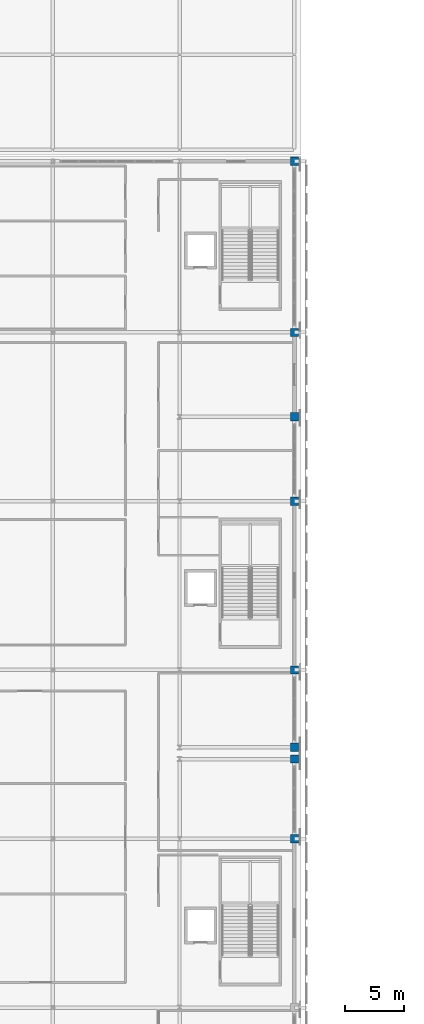
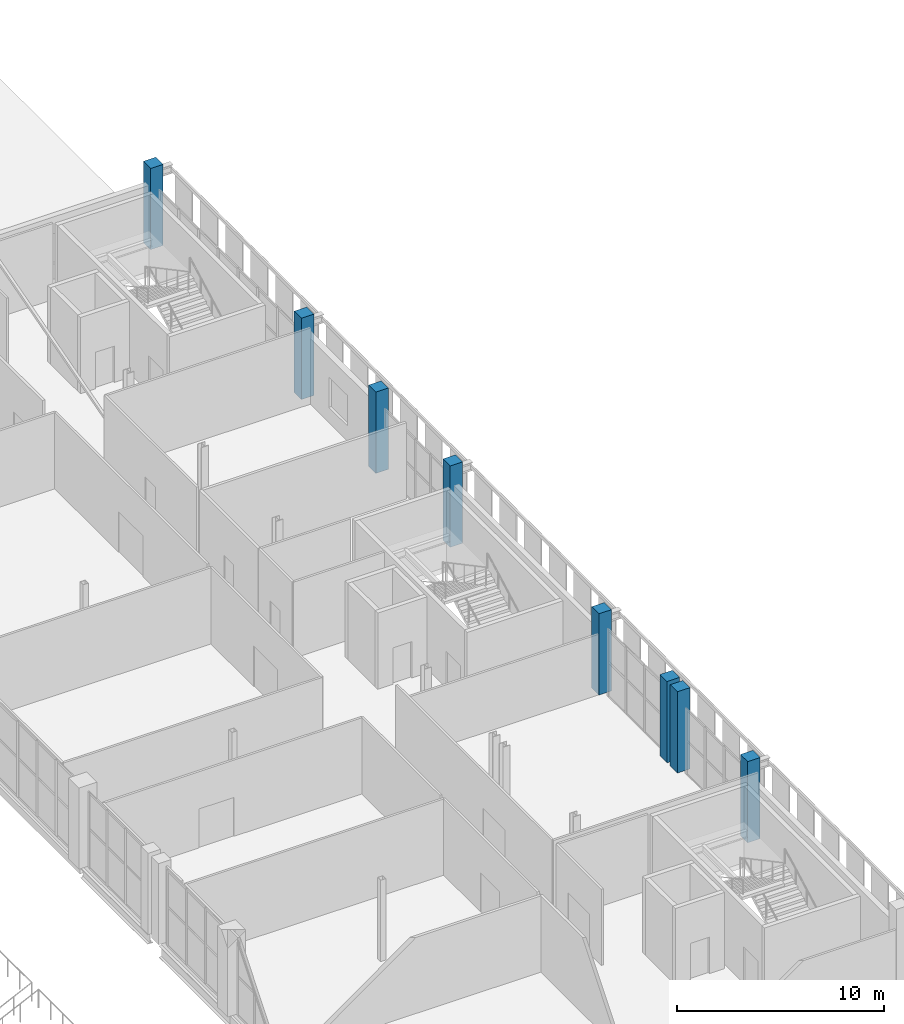
# One storey, part 10 of 104: 8 columns.
"""IFC4 building model written with IfcOpenShell, lengths in metres."""

from ifc_helpers import new_model, si_unit, direction, frame, origin, origin_2d, place, context, subcontext, project, spatial, rectangle, extrude, material, material_profile, profile_set, type_object, element, save


model = new_model("IFC4")

# Units and contexts
model_context = context("Model", 3, precision=1e-05, world=origin(), true_north=direction((0.0, 1.0)))
body_context = subcontext(model_context, "Body", "Model", "MODEL_VIEW")
ifc_project = project(units=[si_unit("LENGTHUNIT", "METRE"), si_unit("AREAUNIT", "SQUARE_METRE"), si_unit("VOLUMEUNIT", "CUBIC_METRE"), si_unit("PLANEANGLEUNIT", "RADIAN"), si_unit("MASSUNIT", "GRAM", prefix="KILO")], contexts=[model_context])

# Site, building, storey
site_placement = place(None, origin())
site = spatial("IfcSite", under=ifc_project, at=site_placement, CompositionType="ELEMENT")
building_placement = place(site_placement, origin())
building = spatial("IfcBuilding", under=site, at=building_placement, Name="Koshinbarg Plaza Stadium", CompositionType="ELEMENT")
storey_placement = place(building_placement, frame((0.0, 0.0, 19.800048828125)))
storey = spatial("IfcBuildingStorey", under=building, at=storey_placement, Name="L04", CompositionType="ELEMENT", Elevation=19.800048828125)

# Columns
ifc_material = material(Name="Concrete C40/50", Category="concrete")
ifc_material_profile = material_profile(ifc_material, rectangle(XDim=0.699951171875, YDim=0.699951171875, at=origin_2d()), Name="RC 700x700")
ifc_profile_set = profile_set([ifc_material_profile], Name="Concrete C40/50")
column_type = type_object("IfcColumnType", Name="COL-RC-06", PredefinedType="COLUMN", material=ifc_profile_set)
for number, where, z_axis, x_axis, name in (
    (1, (218.39990234375, 68.699951171875, 0.0), (0.0, 0.0, 1.0), (1.0, 0.0, 0.0), "L04 column 21/J"),
    (2, (218.39990234375, 75.5, 0.0), (0.0, 0.0, 1.0), (1.0, 0.0, 0.0), "L04 column 21/K"),
    (3, (218.39990234375, 76.5, 0.0), (0.0, 0.0, 1.0), (1.0, 0.0, 0.0), "L04 column 21/L"),
    (4, (218.39990234375, 83.10009765625, 0.0), (0.0, 0.0, 1.0), (1.0, 0.0, 0.0), "L04 column 21/M"),
    (5, (218.39990234375, 97.5, 0.0), (0.0, 0.0, 1.0), (1.0, 0.0, 0.0), "L04 column 21/N"),
    (6, (218.39990234375, 104.699951171875, 0.0), (0.0, 0.0, 1.0), (1.0, 0.0, 0.0), "L04 column 21/P"),
    (7, (218.39990234375, 111.89990234375, 0.0), (0.0, 0.0, 1.0), (1.0, 0.0, 0.0), "L04 column 21/Q"),
    (8, (218.39990234375, 126.5, 0.0), (0.0, 0.0, 1.0), (1.0, 0.0, 0.0), "L04 column 21/R"),
):
    element("IfcColumn", number, at=place(storey_placement, frame(where, z_axis=z_axis, x_axis=x_axis)), inside=storey, type_object=column_type, Name=name, PredefinedType="COLUMN", context=body_context, shape_type="SweptSolid", body=[
        extrude(rectangle(XDim=0.699951171875, YDim=0.699951171875, at=origin_2d()), origin(), (0.0, 0.0, 1.0), 4.800048828125),
    ])

save(model, "model.ifc")
